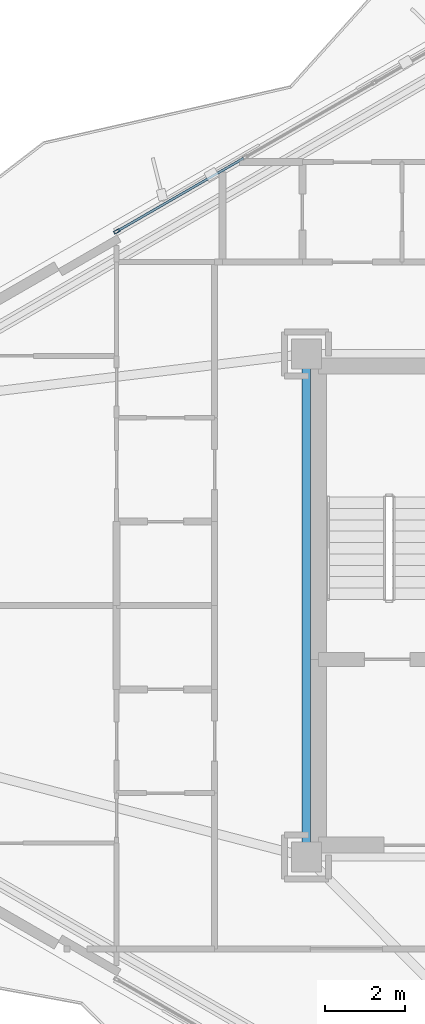
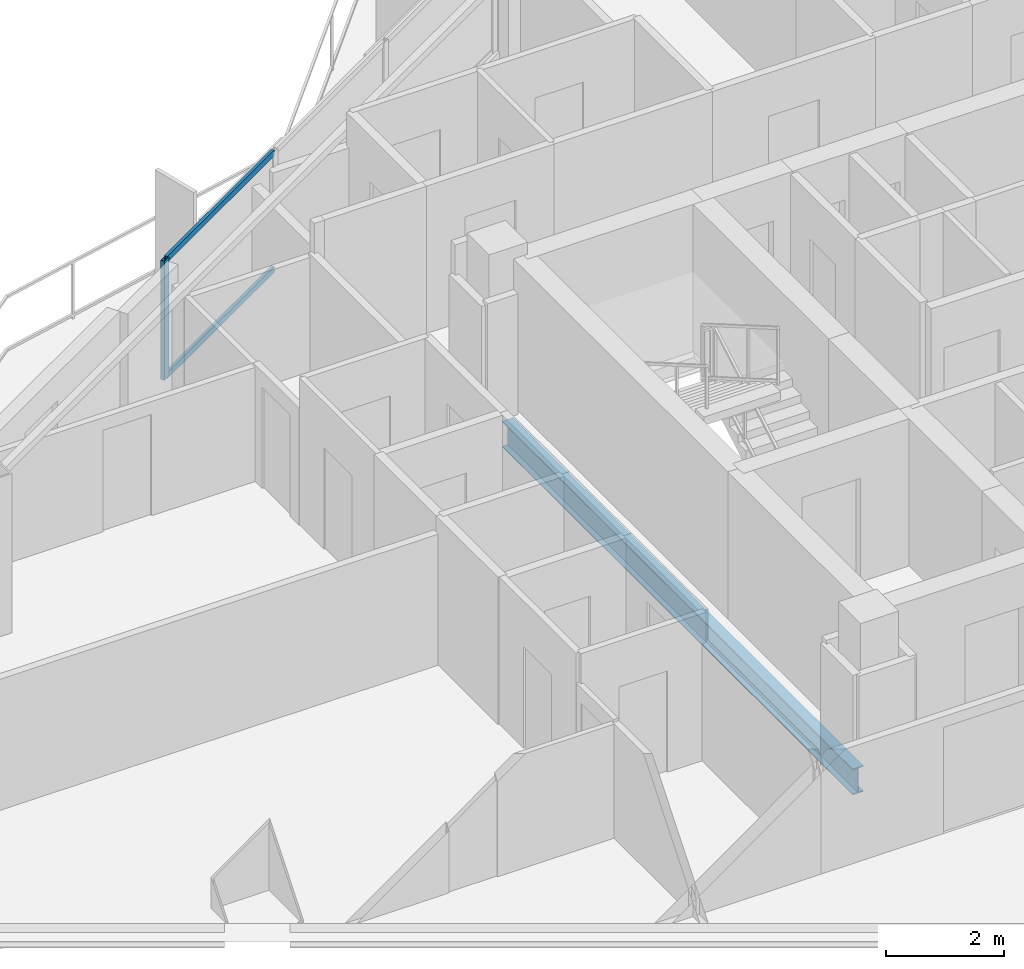
# One storey, part 6 of 23: 3 members, 1 beam, 1 element without a shape of its own.
"""IFC4 building model written with IfcOpenShell, lengths in metres."""

from ifc_helpers import new_model, si_unit, direction, frame, origin, origin_2d, place, context, subcontext, project, spatial, hollow_rectangle, i_section, extrude, material, layer, layer_set, material_profile, profile_set, type_object, element, aggregate, save


model = new_model("IFC4")

# Units and contexts
model_context = context("Model", 3, precision=1e-05, world=origin(), true_north=direction((0.0, 1.0)))
body_context = subcontext(model_context, "Body", "Model", "MODEL_VIEW")
ifc_project = project(units=[si_unit("LENGTHUNIT", "METRE"), si_unit("AREAUNIT", "SQUARE_METRE"), si_unit("VOLUMEUNIT", "CUBIC_METRE"), si_unit("PLANEANGLEUNIT", "RADIAN"), si_unit("MASSUNIT", "GRAM", prefix="KILO")], contexts=[model_context])

# Site, building, storey
site_placement = place(None, origin())
site = spatial("IfcSite", under=ifc_project, at=site_placement, CompositionType="ELEMENT")
building_placement = place(site_placement, origin())
building = spatial("IfcBuilding", under=site, at=building_placement, Name="Mersakhor Tower and Convention Hall", CompositionType="ELEMENT")
storey_placement = place(building_placement, frame((0.0, 0.0, 106.5)))
storey = spatial("IfcBuildingStorey", under=building, at=storey_placement, Name="L29", CompositionType="ELEMENT", Elevation=106.5)

# Beam
ifc_material_1 = material(Name="Steel S355", Category="steel")
ifc_material_profile_1 = material_profile(ifc_material_1, i_section(OverallWidth=0.2099609375, OverallDepth=0.53662109375, WebThickness=0.0107421875, FlangeThickness=0.017333984375, at=origin_2d()), Name="UB 533x210x101")
ifc_profile_set_1 = profile_set([ifc_material_profile_1], Name="Steel S355")
beam_type = type_object("IfcBeamType", Name="BM-FB-533", PredefinedType="BEAM", material=ifc_profile_set_1)
beam_placement = place(storey_placement, frame((21.89990234375, 20.804931640625, -0.518310546875), z_axis=(0.0, 1.0, 0.0), x_axis=(-1.0, 0.0, 0.0)))
element("IfcBeam", 1, at=beam_placement, inside=storey, type_object=beam_type, Name="L29 Core Ring Tie Beam CRB-1", PredefinedType="BEAM", context=body_context, shape_type="SweptSolid", body=[
    extrude(i_section(OverallWidth=0.2099609375, OverallDepth=0.53662109375, WebThickness=0.0107421875, FlangeThickness=0.017333984375, at=origin_2d()), origin(), (0.0, 0.0, 1.0), 11.89013671875),
])

# Curtain wall, members
ifc_material_2 = material(Name="Dark solar low-E aluminium curtain wall", Category="aluminium")
ifc_layer = layer(ifc_material_2, 0.159912109375)
ifc_layer_set = layer_set([ifc_layer], Name="Dark solar low-E aluminium curtain wall")
curtain_wall_type = type_object("IfcCurtainWallType", Name="CW-SYS-01", PredefinedType="USERDEFINED", material=ifc_layer_set)
curtain_wall_placement = place(storey_placement, origin())
curtain_wall = element("IfcCurtainWall", 2, at=curtain_wall_placement, inside=storey, type_object=curtain_wall_type, Name="L29 Dark-Glass Curtain Wall F1-B2", ObjectType="CURTAIN WALL", PredefinedType="USERDEFINED")
ifc_material_3 = material(Name="Anodised aluminium EN AW-6063 T6", Category="aluminium")
ifc_material_profile_2 = material_profile(ifc_material_3, hollow_rectangle(XDim=0.074951171875, YDim=0.14990234375, WallThickness=0.00634765625, at=origin_2d()), Name="RHS 150x75x6.3")
ifc_profile_set_2 = profile_set([ifc_material_profile_2], Name="Anodised aluminium EN AW-6063 T6")
member_type_1 = type_object("IfcMemberType", Name="CWM-150x75", PredefinedType="MULLION", material=ifc_profile_set_2)
member_1_placement = place(storey_placement, frame((17.152587890625, 36.11572265625, 0.199951171875), z_axis=(0.0, 0.0, 1.0), x_axis=(-0.499997904985, 0.866026613339, 0.0)))
member_1 = element("IfcMember", 3, at=member_1_placement, type_object=member_type_1, Name="CW-01 mullion 1", PredefinedType="MULLION", context=body_context, shape_type="SweptSolid", body=[
    extrude(hollow_rectangle(XDim=0.074951171875, YDim=0.14990234375, WallThickness=0.00634765625, at=origin_2d()), origin(), (0.0, 0.0, 1.0), 2.469970703125),
])
ifc_material_4 = material(Name="Anodised aluminium EN AW-6063 T6", Category="aluminium")
ifc_material_profile_3 = material_profile(ifc_material_4, hollow_rectangle(XDim=0.06005859375, YDim=0.1201171875, WallThickness=0.0048828125, at=origin_2d()), Name="RHS 120x60x5")
ifc_profile_set_3 = profile_set([ifc_material_profile_3], Name="Anodised aluminium EN AW-6063 T6")
member_type_2 = type_object("IfcMemberType", Name="CWT-120x60", PredefinedType="USERDEFINED", material=ifc_profile_set_3)
member_2_placement = place(storey_placement, frame((17.18505859375, 36.134521484375, 0.22998046875), z_axis=(0.866045614266, 0.499964992784, 0.0), x_axis=(-0.499964992784, 0.866045614266, 0.0)))
member_2 = element("IfcMember", 4, at=member_2_placement, type_object=member_type_2, Name="CW-01 transom 1.1", ObjectType="TRANSOM", PredefinedType="USERDEFINED", context=body_context, shape_type="SweptSolid", body=[
    extrude(hollow_rectangle(XDim=0.06005859375, YDim=0.1201171875, WallThickness=0.0048828125, at=origin_2d()), origin(), (0.0, 0.0, 1.0), 3.630615234375),
])
member_3_placement = place(storey_placement, frame((17.18505859375, 36.134521484375, 2.639892578125), z_axis=(0.866045614266, 0.499964992784, 0.0), x_axis=(-0.499964992784, 0.866045614266, 0.0)))
member_3 = element("IfcMember", 5, at=member_3_placement, type_object=member_type_2, Name="CW-01 transom 1.2", ObjectType="TRANSOM", PredefinedType="USERDEFINED", context=body_context, shape_type="SweptSolid", body=[
    extrude(hollow_rectangle(XDim=0.06005859375, YDim=0.1201171875, WallThickness=0.0048828125, at=origin_2d()), origin(), (0.0, 0.0, 1.0), 3.630615234375),
])
aggregate(curtain_wall, [member_1, member_2, member_3])

save(model, "model.ifc")
